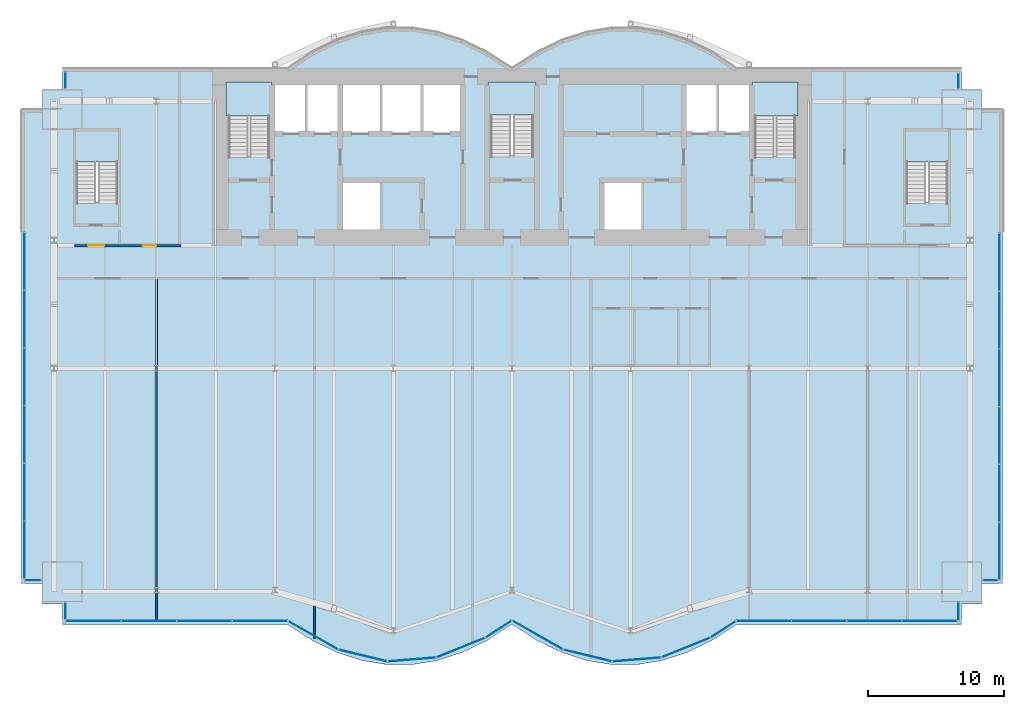
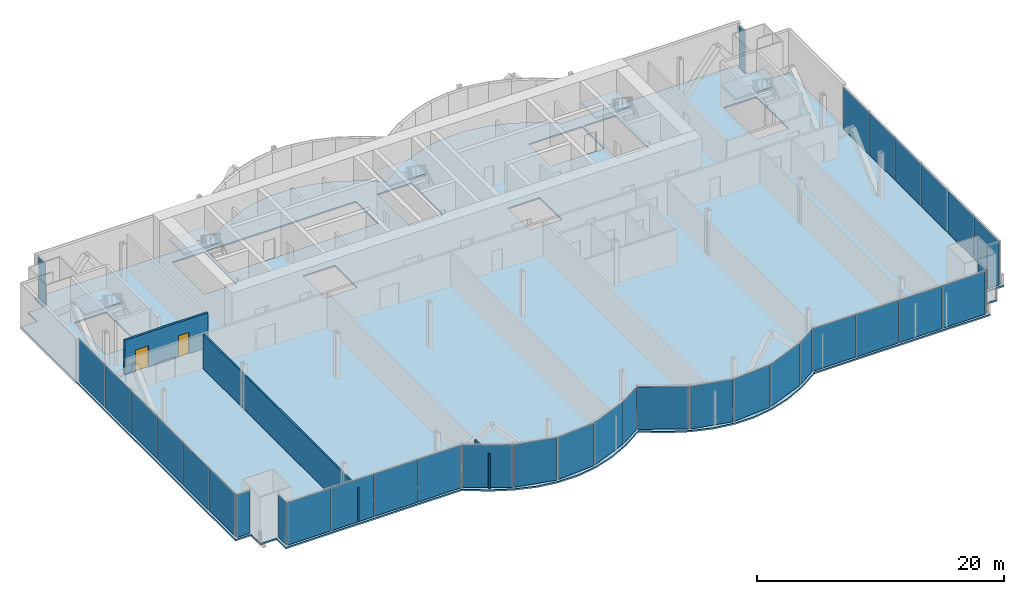
# One storey, part 14 of 21: 36 plates, 6 slabs, 3 walls, 2 doors, 2 openings, 17 elements without a shape of their own.
"""IFC4 building model written with IfcOpenShell, lengths in metres."""

from ifc_helpers import new_model, si_unit, direction, frame, frame_2d, origin, origin_2d, place, context, subcontext, project, spatial, polyline, rectangle, outline, extrude, material, layer, layer_set, type_object, element, fill, aggregate, save


model = new_model("IFC4")

# Units and contexts
model_context = context("Model", 3, precision=1e-05, world=origin(), true_north=direction((0.0, 1.0)))
body_context = subcontext(model_context, "Body", "Model", "MODEL_VIEW")
ifc_project = project(units=[si_unit("LENGTHUNIT", "METRE"), si_unit("AREAUNIT", "SQUARE_METRE"), si_unit("VOLUMEUNIT", "CUBIC_METRE"), si_unit("PLANEANGLEUNIT", "RADIAN"), si_unit("MASSUNIT", "GRAM", prefix="KILO")], contexts=[model_context])

# Site, building, storey
site_placement = place(None, origin())
site = spatial("IfcSite", under=ifc_project, at=site_placement, CompositionType="ELEMENT")
building_placement = place(site_placement, origin())
building = spatial("IfcBuilding", under=site, at=building_placement, Name="Bicima Exchange Tower", CompositionType="ELEMENT")
storey_placement = place(building_placement, frame((0.0, 0.0, 57.5)))
storey = spatial("IfcBuildingStorey", under=building, at=storey_placement, Name="L11", CompositionType="ELEMENT", Elevation=57.5)

# Slab
ifc_material_1 = material(Name="Concrete C40/50", Category="concrete")
ifc_layer_1 = layer(ifc_material_1, 0.14990234375)
ifc_layer_set_1 = layer_set([ifc_layer_1], Name="Concrete C40/50")
slab_type_1 = type_object("IfcSlabType", Name="Composite floor slab 150", PredefinedType="FLOOR", material=ifc_layer_set_1)
slab_1_placement = place(storey_placement, frame((0.0, 0.0, -0.14990234375)))
element("IfcSlab", 1, at=slab_1_placement, inside=storey, type_object=slab_type_1, Name="Floor slab", PredefinedType="FLOOR", context=body_context, shape_type="SweptSolid", body=[
    extrude(outline(polyline([(-36.0, -37.780029296875), (-36.0, -3.0), (-34.5, -3.0), (-34.5, -1.5), (-33.0, -1.5), (-33.0, 0.0), (-16.5, 0.0), (-14.666748046875, 1.185302734375), (-12.833251953125, 2.07421875), (-11.0, 2.666748046875), (-9.166748046875, 2.962890625), (-7.333251953125, 2.962890625), (-5.5, 2.666748046875), (-3.666748046875, 2.07421875), (-1.833251953125, 1.185302734375), (0.0, 0.0), (1.833251953125, 1.185302734375), (3.666748046875, 2.07421875), (5.5, 2.666748046875), (7.333251953125, 2.962890625), (9.166748046875, 2.962890625), (11.0, 2.666748046875), (12.833251953125, 2.07421875), (14.666748046875, 1.185302734375), (16.5, 0.0), (33.0, 0.0), (33.0, -1.5), (34.5, -1.5), (34.5, -3.0), (36.0, -3.0), (36.0, -37.780029296875), (34.5, -37.780029296875), (34.5, -39.280029296875), (33.0, -39.280029296875), (33.0, -40.780029296875), (16.5, -40.780029296875), (14.666748046875, -41.965087890625), (12.833251953125, -42.85400390625), (11.0, -43.44677734375), (9.166748046875, -43.742919921875), (7.333251953125, -43.742919921875), (5.5, -43.44677734375), (3.666748046875, -42.85400390625), (1.833251953125, -41.965087890625), (0.0, -40.780029296875), (-1.833251953125, -41.965087890625), (-3.666748046875, -42.85400390625), (-5.5, -43.44677734375), (-7.333251953125, -43.742919921875), (-9.166748046875, -43.742919921875), (-11.0, -43.44677734375), (-12.833251953125, -42.85400390625), (-14.666748046875, -41.965087890625), (-16.5, -40.780029296875), (-33.0, -40.780029296875), (-33.0, -39.280029296875), (-34.5, -39.280029296875), (-34.5, -37.780029296875), (-36.0, -37.780029296875)]), holes=[polyline([(-9.60009765625, -11.800048828125), (-9.60009765625, -8.199951171875), (-12.60009765625, -8.199951171875), (-12.60009765625, -11.800048828125), (-9.60009765625, -11.800048828125)]), polyline([(-31.97509765625, -9.824951171875), (-28.925048828125, -9.824951171875), (-28.925048828125, -4.625), (-31.97509765625, -4.625), (-31.97509765625, -9.824951171875)]), polyline([(-20.800048828125, -6.449951171875), (-17.800048828125, -6.449951171875), (-17.800048828125, -1.199951171875), (-20.800048828125, -1.199951171875), (-20.800048828125, -6.449951171875)]), polyline([(-9.60009765625, -1.199951171875), (-12.60009765625, -1.199951171875), (-15.10009765625, -1.199951171875), (-17.60009765625, -1.199951171875), (-17.60009765625, -4.800048828125), (-15.10009765625, -4.800048828125), (-12.60009765625, -4.800048828125), (-9.60009765625, -4.800048828125), (-6.60009765625, -4.800048828125), (-3.60009765625, -4.800048828125), (-3.60009765625, -1.199951171875), (-6.60009765625, -1.199951171875), (-9.60009765625, -1.199951171875)]), polyline([(9.60009765625, -11.800048828125), (9.60009765625, -8.199951171875), (6.60009765625, -8.199951171875), (6.60009765625, -11.800048828125), (9.60009765625, -11.800048828125)]), polyline([(28.925048828125, -9.824951171875), (31.97509765625, -9.824951171875), (31.97509765625, -4.625), (28.925048828125, -4.625), (28.925048828125, -9.824951171875)]), polyline([(17.800048828125, -6.449951171875), (20.800048828125, -6.449951171875), (20.800048828125, -1.199951171875), (17.800048828125, -1.199951171875), (17.800048828125, -6.449951171875)]), polyline([(-1.574951171875, -6.39990234375), (1.574951171875, -6.39990234375), (1.574951171875, -1.199951171875), (-1.574951171875, -1.199951171875), (-1.574951171875, -6.39990234375)]), polyline([(17.60009765625, -4.800048828125), (17.60009765625, -1.199951171875), (15.10009765625, -1.199951171875), (12.60009765625, -1.199951171875), (12.60009765625, -4.800048828125), (15.10009765625, -4.800048828125), (17.60009765625, -4.800048828125)])]), origin(), (0.0, 0.0, 1.0), 0.14990234375),
])

# Curtain wall, plates
ifc_material_2 = material(Name="Anodised bronze aluminium", Category="aluminium")
curtain_wall_type_1 = type_object("IfcCurtainWallType", Name="End face glass wall", PredefinedType="NOTDEFINED", material=ifc_material_2)
curtain_wall_1_placement = place(storey_placement, origin())
curtain_wall_1 = element("IfcCurtainWall", 2, at=curtain_wall_1_placement, inside=storey, type_object=curtain_wall_type_1, Name="End face glass wall L11 run 2", PredefinedType="NOTDEFINED")
ifc_material_3 = material(Name="Bronze tinted glass", Category="glass")
ifc_layer_2 = layer(ifc_material_3, 0.031982421875)
ifc_layer_set_2 = layer_set([ifc_layer_2], Name="Bronze tinted glass")
plate_type_1 = type_object("IfcPlateType", Name="End face glass wall glass panel 32", PredefinedType="CURTAIN_PANEL", material=ifc_layer_set_2)
plate_1_placement = place(storey_placement, frame((-35.77001953125, -14.1474609375, 0.0), z_axis=(0.0, 0.0, 1.0), x_axis=(0.0, -1.0, 0.0)))
plate_1 = element("IfcPlate", 3, at=plate_1_placement, type_object=plate_type_1, Name="End face glass wall panel 1.1", PredefinedType="CURTAIN_PANEL", context=body_context, shape_type="SweptSolid", body=[
    extrude(rectangle(XDim=4.175048828125, YDim=0.031982421875, at=origin_2d()), origin(), (0.0, 0.0, 1.0), 4.2099609375),
])
plate_2_placement = place(storey_placement, frame((-35.77001953125, -26.8525390625, 0.0), z_axis=(0.0, 0.0, 1.0), x_axis=(0.0, -1.0, 0.0)))
plate_2 = element("IfcPlate", 4, at=plate_2_placement, type_object=plate_type_1, Name="End face glass wall panel 4.1", PredefinedType="CURTAIN_PANEL", context=body_context, shape_type="SweptSolid", body=[
    extrude(rectangle(XDim=4.175048828125, YDim=0.031982421875, at=origin_2d()), origin(), (0.0, 0.0, 1.0), 4.2099609375),
])
plate_3_placement = place(storey_placement, frame((-35.77001953125, -31.08740234375, 0.0), z_axis=(0.0, 0.0, 1.0), x_axis=(0.0, -1.0, 0.0)))
plate_3 = element("IfcPlate", 5, at=plate_3_placement, type_object=plate_type_1, Name="End face glass wall panel 5.1", PredefinedType="CURTAIN_PANEL", context=body_context, shape_type="SweptSolid", body=[
    extrude(rectangle(XDim=4.175048828125, YDim=0.031982421875, at=origin_2d()), origin(), (0.0, 0.0, 1.0), 4.2099609375),
])
plate_4_placement = place(storey_placement, frame((-35.77001953125, -35.322509765625, 0.0), z_axis=(0.0, 0.0, 1.0), x_axis=(0.0, -1.0, 0.0)))
plate_4 = element("IfcPlate", 6, at=plate_4_placement, type_object=plate_type_1, Name="End face glass wall panel 6.1", PredefinedType="CURTAIN_PANEL", context=body_context, shape_type="SweptSolid", body=[
    extrude(rectangle(XDim=4.175048828125, YDim=0.031982421875, at=origin_2d()), origin(), (0.0, 0.0, 1.0), 4.2099609375),
])

curtain_wall_2_placement = place(storey_placement, origin())
curtain_wall_2 = element("IfcCurtainWall", 7, at=curtain_wall_2_placement, inside=storey, type_object=curtain_wall_type_1, Name="End face glass wall L11 run 19", PredefinedType="NOTDEFINED")
plate_5_placement = place(storey_placement, frame((35.77001953125, -35.402587890625, 0.0), z_axis=(0.0, 0.0, 1.0), x_axis=(0.0, 1.0, 0.0)))
plate_5 = element("IfcPlate", 8, at=plate_5_placement, type_object=plate_type_1, Name="End face glass wall panel 1.1", PredefinedType="CURTAIN_PANEL", context=body_context, shape_type="SweptSolid", body=[
    extrude(rectangle(XDim=4.175048828125, YDim=0.031982421875, at=origin_2d()), origin(), (0.0, 0.0, 1.0), 4.2099609375),
])
plate_6_placement = place(storey_placement, frame((35.77001953125, -31.16748046875, 0.0), z_axis=(0.0, 0.0, 1.0), x_axis=(0.0, 1.0, 0.0)))
plate_6 = element("IfcPlate", 9, at=plate_6_placement, type_object=plate_type_1, Name="End face glass wall panel 2.1", PredefinedType="CURTAIN_PANEL", context=body_context, shape_type="SweptSolid", body=[
    extrude(rectangle(XDim=4.175048828125, YDim=0.031982421875, at=origin_2d()), origin(), (0.0, 0.0, 1.0), 4.2099609375),
])
plate_7_placement = place(storey_placement, frame((35.77001953125, -26.9326171875, 0.0), z_axis=(0.0, 0.0, 1.0), x_axis=(0.0, 1.0, 0.0)))
plate_7 = element("IfcPlate", 10, at=plate_7_placement, type_object=plate_type_1, Name="End face glass wall panel 3.1", PredefinedType="CURTAIN_PANEL", context=body_context, shape_type="SweptSolid", body=[
    extrude(rectangle(XDim=4.175048828125, YDim=0.031982421875, at=origin_2d()), origin(), (0.0, 0.0, 1.0), 4.2099609375),
])
plate_8_placement = place(storey_placement, frame((35.77001953125, -14.2275390625, 0.0), z_axis=(0.0, 0.0, 1.0), x_axis=(0.0, 1.0, 0.0)))
plate_8 = element("IfcPlate", 11, at=plate_8_placement, type_object=plate_type_1, Name="End face glass wall panel 6.1", PredefinedType="CURTAIN_PANEL", context=body_context, shape_type="SweptSolid", body=[
    extrude(rectangle(XDim=4.175048828125, YDim=0.031982421875, at=origin_2d()), origin(), (0.0, 0.0, 1.0), 4.2099609375),
])

# Plate
ifc_material_4 = material(Name="Bronze anodised aluminium", Category="aluminium")
ifc_layer_3 = layer(ifc_material_4, 0.031982421875)
ifc_layer_set_3 = layer_set([ifc_layer_3], Name="Bronze anodised aluminium")
plate_type_2 = type_object("IfcPlateType", Name="End face glass wall spandrel panel 32", PredefinedType="CURTAIN_PANEL", material=ifc_layer_set_3)
plate_9_placement = place(storey_placement, frame((-35.77001953125, -18.382568359375, 0.0), z_axis=(0.0, 0.0, 1.0), x_axis=(0.0, -1.0, 0.0)))
plate_9 = element("IfcPlate", 12, at=plate_9_placement, type_object=plate_type_2, Name="End face spandrel wall panel 2.1", PredefinedType="CURTAIN_PANEL", context=body_context, shape_type="SweptSolid", body=[
    extrude(rectangle(XDim=4.175048828125, YDim=0.031982421875, at=origin_2d()), origin(), (0.0, 0.0, 1.0), 4.2099609375),
])

plate_10_placement = place(storey_placement, frame((-35.77001953125, -22.617431640625, 0.0), z_axis=(0.0, 0.0, 1.0), x_axis=(0.0, -1.0, 0.0)))
plate_10 = element("IfcPlate", 13, at=plate_10_placement, type_object=plate_type_2, Name="End face spandrel wall panel 3.1", PredefinedType="CURTAIN_PANEL", context=body_context, shape_type="SweptSolid", body=[
    extrude(rectangle(XDim=4.175048828125, YDim=0.031982421875, at=origin_2d()), origin(), (0.0, 0.0, 1.0), 4.2099609375),
])

aggregate(curtain_wall_1, [plate_1, plate_9, plate_10, plate_2, plate_3, plate_4])

plate_11_placement = place(storey_placement, frame((35.77001953125, -22.697509765625, 0.0), z_axis=(0.0, 0.0, 1.0), x_axis=(0.0, 1.0, 0.0)))
plate_11 = element("IfcPlate", 14, at=plate_11_placement, type_object=plate_type_2, Name="End face spandrel wall panel 4.1", PredefinedType="CURTAIN_PANEL", context=body_context, shape_type="SweptSolid", body=[
    extrude(rectangle(XDim=4.175048828125, YDim=0.031982421875, at=origin_2d()), origin(), (0.0, 0.0, 1.0), 4.2099609375),
])

plate_12_placement = place(storey_placement, frame((35.77001953125, -18.46240234375, 0.0), z_axis=(0.0, 0.0, 1.0), x_axis=(0.0, 1.0, 0.0)))
plate_12 = element("IfcPlate", 15, at=plate_12_placement, type_object=plate_type_2, Name="End face spandrel wall panel 5.1", PredefinedType="CURTAIN_PANEL", context=body_context, shape_type="SweptSolid", body=[
    extrude(rectangle(XDim=4.175048828125, YDim=0.031982421875, at=origin_2d()), origin(), (0.0, 0.0, 1.0), 4.2099609375),
])

aggregate(curtain_wall_2, [plate_5, plate_6, plate_7, plate_11, plate_12, plate_8])

# Curtain wall, plate
curtain_wall_type_2 = type_object("IfcCurtainWallType", Name="Front glass wall", PredefinedType="NOTDEFINED", material=ifc_material_2)
curtain_wall_3_placement = place(storey_placement, origin())
curtain_wall_3 = element("IfcCurtainWall", 16, at=curtain_wall_3_placement, inside=storey, type_object=curtain_wall_type_2, Name="Front glass wall L11 run 1", PredefinedType="NOTDEFINED")
ifc_layer_4 = layer(ifc_material_3, 0.031982421875)
ifc_layer_set_4 = layer_set([ifc_layer_4], Name="Bronze tinted glass")
plate_type_3 = type_object("IfcPlateType", Name="Front glass wall glass panel 32", PredefinedType="CURTAIN_PANEL", material=ifc_layer_set_4)
plate_13_placement = place(storey_placement, frame((-32.77001953125, -0.864990234375, 0.0), z_axis=(0.0, 0.0, 1.0), x_axis=(0.0, -1.0, 0.0)))
plate_13 = element("IfcPlate", 17, at=plate_13_placement, type_object=plate_type_3, Name="Front glass wall panel 1.1", PredefinedType="CURTAIN_PANEL", context=body_context, shape_type="SweptSolid", body=[
    extrude(rectangle(XDim=1.14990234375, YDim=0.031982421875, at=origin_2d()), origin(), (0.0, 0.0, 1.0), 4.2099609375),
])
aggregate(curtain_wall_3, [plate_13])

curtain_wall_4_placement = place(storey_placement, origin())
curtain_wall_4 = element("IfcCurtainWall", 18, at=curtain_wall_4_placement, inside=storey, type_object=curtain_wall_type_2, Name="Front glass wall L11 run 3", PredefinedType="NOTDEFINED")
plate_14_placement = place(storey_placement, frame((-35.135009765625, -37.550048828125, 0.0), z_axis=(0.0, 0.0, 1.0), x_axis=(1.0, 0.0, 0.0)))
plate_14 = element("IfcPlate", 19, at=plate_14_placement, type_object=plate_type_3, Name="Front glass wall panel 1.1", PredefinedType="CURTAIN_PANEL", context=body_context, shape_type="SweptSolid", body=[
    extrude(rectangle(XDim=1.14990234375, YDim=0.031982421875, at=origin_2d()), origin(), (0.0, 0.0, 1.0), 4.2099609375),
])
aggregate(curtain_wall_4, [plate_14])

curtain_wall_5_placement = place(storey_placement, origin())
curtain_wall_5 = element("IfcCurtainWall", 20, at=curtain_wall_5_placement, inside=storey, type_object=curtain_wall_type_2, Name="Front glass wall L11 run 4", PredefinedType="NOTDEFINED")
plate_15_placement = place(storey_placement, frame((-32.77001953125, -39.81396484375, 0.0), z_axis=(0.0, 0.0, 1.0), x_axis=(0.0, -1.0, 0.0)))
plate_15 = element("IfcPlate", 21, at=plate_15_placement, type_object=plate_type_3, Name="Front glass wall panel 1.1", PredefinedType="CURTAIN_PANEL", context=body_context, shape_type="SweptSolid", body=[
    extrude(rectangle(XDim=1.19189453125, YDim=0.031982421875, at=origin_2d()), origin(), (0.0, 0.0, 1.0), 4.2099609375),
])
aggregate(curtain_wall_5, [plate_15])

# Curtain wall, plates
curtain_wall_6_placement = place(storey_placement, origin())
curtain_wall_6 = element("IfcCurtainWall", 22, at=curtain_wall_6_placement, inside=storey, type_object=curtain_wall_type_2, Name="Front glass wall L11 run 5", PredefinedType="NOTDEFINED")
plate_16_placement = place(storey_placement, frame((-30.705322265625, -40.550048828125, 0.0), z_axis=(0.0, 0.0, 1.0), x_axis=(1.0, 0.0, 0.0)))
plate_16 = element("IfcPlate", 23, at=plate_16_placement, type_object=plate_type_3, Name="Front glass wall panel 1.1", PredefinedType="CURTAIN_PANEL", context=body_context, shape_type="SweptSolid", body=[
    extrude(rectangle(XDim=4.009521484375, YDim=0.031982421875, at=origin_2d()), origin(), (0.0, 0.0, 1.0), 4.2099609375),
])
plate_17_placement = place(storey_placement, frame((-26.6357421875, -40.550048828125, 0.0), z_axis=(0.0, 0.0, 1.0), x_axis=(1.0, 0.0, 0.0)))
plate_17 = element("IfcPlate", 24, at=plate_17_placement, type_object=plate_type_3, Name="Front glass wall panel 2.1", PredefinedType="CURTAIN_PANEL", context=body_context, shape_type="SweptSolid", body=[
    extrude(rectangle(XDim=4.009521484375, YDim=0.031982421875, at=origin_2d()), origin(), (0.0, 0.0, 1.0), 4.2099609375),
])
plate_18_placement = place(storey_placement, frame((-22.56640625, -40.550048828125, 0.0), z_axis=(0.0, 0.0, 1.0), x_axis=(1.0, 0.0, 0.0)))
plate_18 = element("IfcPlate", 25, at=plate_18_placement, type_object=plate_type_3, Name="Front glass wall panel 3.1", PredefinedType="CURTAIN_PANEL", context=body_context, shape_type="SweptSolid", body=[
    extrude(rectangle(XDim=4.009521484375, YDim=0.031982421875, at=origin_2d()), origin(), (0.0, 0.0, 1.0), 4.2099609375),
])
plate_19_placement = place(storey_placement, frame((-18.496826171875, -40.550048828125, 0.0), z_axis=(0.0, 0.0, 1.0), x_axis=(1.0, 0.0, 0.0)))
plate_19 = element("IfcPlate", 26, at=plate_19_placement, type_object=plate_type_3, Name="Front glass wall panel 4.1", PredefinedType="CURTAIN_PANEL", context=body_context, shape_type="SweptSolid", body=[
    extrude(rectangle(XDim=4.009521484375, YDim=0.031982421875, at=origin_2d()), origin(), (0.0, 0.0, 1.0), 4.2099609375),
])
aggregate(curtain_wall_6, [plate_16, plate_17, plate_18, plate_19])

curtain_wall_7_placement = place(storey_placement, origin())
curtain_wall_7 = element("IfcCurtainWall", 27, at=curtain_wall_7_placement, inside=storey, type_object=curtain_wall_type_2, Name="Front glass wall L11 run 6", PredefinedType="NOTDEFINED")
plate_20_placement = place(storey_placement, frame((-10.94775390625, -43.07666015625, 0.0), z_axis=(0.0, 0.0, 1.0), x_axis=(0.971830343553, -0.235681529503, 0.0)))
plate_20 = element("IfcPlate", 28, at=plate_20_placement, type_object=plate_type_3, Name="Front glass wall panel 1.1", PredefinedType="CURTAIN_PANEL", context=body_context, shape_type="SweptSolid", body=[
    extrude(rectangle(XDim=3.583251953125, YDim=0.031982421875, at=origin_2d()), origin(), (0.0, 0.0, 1.0), 4.2099609375),
])
plate_21_placement = place(storey_placement, frame((-7.35107421875, -43.36767578125, 0.0), z_axis=(0.0, 0.0, 1.0), x_axis=(0.99674744821, 0.080588612633, 0.0)))
plate_21 = element("IfcPlate", 29, at=plate_21_placement, type_object=plate_type_3, Name="Front glass wall panel 1.1", PredefinedType="CURTAIN_PANEL", context=body_context, shape_type="SweptSolid", body=[
    extrude(rectangle(XDim=3.486083984375, YDim=0.031982421875, at=origin_2d()), origin(), (0.0, 0.0, 1.0), 4.2099609375),
])
plate_22_placement = place(storey_placement, frame((-3.750244140625, -42.493408203125, 0.0), z_axis=(0.0, 0.0, 1.0), x_axis=(0.92714396679, 0.374705304, 0.0)))
plate_22 = element("IfcPlate", 30, at=plate_22_placement, type_object=plate_type_3, Name="Front glass wall panel 1.1", PredefinedType="CURTAIN_PANEL", context=body_context, shape_type="SweptSolid", body=[
    extrude(rectangle(XDim=3.771240234375, YDim=0.031982421875, at=origin_2d()), origin(), (0.0, 0.0, 1.0), 4.2099609375),
])
plate_23_placement = place(storey_placement, frame((-0.97314453125, -41.13525390625, 0.0), z_axis=(0.0, 0.0, 1.0), x_axis=(0.839798994301, 0.542897457326, 0.0)))
plate_23 = element("IfcPlate", 31, at=plate_23_placement, type_object=plate_type_3, Name="Front glass wall panel 1.1", PredefinedType="CURTAIN_PANEL", context=body_context, shape_type="SweptSolid", body=[
    extrude(rectangle(XDim=2.197509765625, YDim=0.031982421875, at=origin_2d()), origin(), (0.0, 0.0, 1.0), 4.2099609375),
])

curtain_wall_8_placement = place(storey_placement, origin())
curtain_wall_8 = element("IfcCurtainWall", 32, at=curtain_wall_8_placement, inside=storey, type_object=curtain_wall_type_2, Name="Front glass wall L11 run 11", PredefinedType="NOTDEFINED")
plate_24_placement = place(storey_placement, frame((1.876220703125, -41.5732421875, 0.0), z_axis=(0.0, 0.0, 1.0), x_axis=(0.869274147378, -0.494330311331, 0.0)))
plate_24 = element("IfcPlate", 33, at=plate_24_placement, type_object=plate_type_3, Name="Front glass wall panel 1.1", PredefinedType="CURTAIN_PANEL", context=body_context, shape_type="SweptSolid", body=[
    extrude(rectangle(XDim=4.197021484375, YDim=0.031982421875, at=origin_2d()), origin(), (0.0, 0.0, 1.0), 4.2099609375),
])
plate_25_placement = place(storey_placement, frame((5.55224609375, -43.07666015625, 0.0), z_axis=(0.0, 0.0, 1.0), x_axis=(0.971830343553, -0.235681529503, 0.0)))
plate_25 = element("IfcPlate", 34, at=plate_25_placement, type_object=plate_type_3, Name="Front glass wall panel 1.1", PredefinedType="CURTAIN_PANEL", context=body_context, shape_type="SweptSolid", body=[
    extrude(rectangle(XDim=3.583251953125, YDim=0.031982421875, at=origin_2d()), origin(), (0.0, 0.0, 1.0), 4.2099609375),
])
plate_26_placement = place(storey_placement, frame((9.14892578125, -43.36767578125, 0.0), z_axis=(0.0, 0.0, 1.0), x_axis=(0.99674744821, 0.080588612633, 0.0)))
plate_26 = element("IfcPlate", 35, at=plate_26_placement, type_object=plate_type_3, Name="Front glass wall panel 1.1", PredefinedType="CURTAIN_PANEL", context=body_context, shape_type="SweptSolid", body=[
    extrude(rectangle(XDim=3.486083984375, YDim=0.031982421875, at=origin_2d()), origin(), (0.0, 0.0, 1.0), 4.2099609375),
])
plate_27_placement = place(storey_placement, frame((15.492919921875, -41.1572265625, 0.0), z_axis=(0.0, 0.0, 1.0), x_axis=(0.839791413941, 0.542909183079, 0.0)))
plate_27 = element("IfcPlate", 36, at=plate_27_placement, type_object=plate_type_3, Name="Front glass wall panel 1.1", PredefinedType="CURTAIN_PANEL", context=body_context, shape_type="SweptSolid", body=[
    extrude(rectangle(XDim=2.11669921875, YDim=0.031982421875, at=origin_2d()), origin(), (0.0, 0.0, 1.0), 4.2099609375),
])

curtain_wall_9_placement = place(storey_placement, origin())
curtain_wall_9 = element("IfcCurtainWall", 37, at=curtain_wall_9_placement, inside=storey, type_object=curtain_wall_type_2, Name="Front glass wall L11 run 16", PredefinedType="NOTDEFINED")
plate_28_placement = place(storey_placement, frame((18.48681640625, -40.550048828125, 0.0), z_axis=(0.0, 0.0, 1.0), x_axis=(1.0, 0.0, 0.0)))
plate_28 = element("IfcPlate", 38, at=plate_28_placement, type_object=plate_type_3, Name="Front glass wall panel 1.1", PredefinedType="CURTAIN_PANEL", context=body_context, shape_type="SweptSolid", body=[
    extrude(rectangle(XDim=3.989501953125, YDim=0.031982421875, at=origin_2d()), origin(), (0.0, 0.0, 1.0), 4.2099609375),
])
plate_29_placement = place(storey_placement, frame((22.536376953125, -40.550048828125, 0.0), z_axis=(0.0, 0.0, 1.0), x_axis=(1.0, 0.0, 0.0)))
plate_29 = element("IfcPlate", 39, at=plate_29_placement, type_object=plate_type_3, Name="Front glass wall panel 2.1", PredefinedType="CURTAIN_PANEL", context=body_context, shape_type="SweptSolid", body=[
    extrude(rectangle(XDim=3.989501953125, YDim=0.031982421875, at=origin_2d()), origin(), (0.0, 0.0, 1.0), 4.2099609375),
])
plate_30_placement = place(storey_placement, frame((26.585693359375, -40.550048828125, 0.0), z_axis=(0.0, 0.0, 1.0), x_axis=(1.0, 0.0, 0.0)))
plate_30 = element("IfcPlate", 40, at=plate_30_placement, type_object=plate_type_3, Name="Front glass wall panel 3.1", PredefinedType="CURTAIN_PANEL", context=body_context, shape_type="SweptSolid", body=[
    extrude(rectangle(XDim=3.989501953125, YDim=0.031982421875, at=origin_2d()), origin(), (0.0, 0.0, 1.0), 4.2099609375),
])
plate_31_placement = place(storey_placement, frame((30.63525390625, -40.550048828125, 0.0), z_axis=(0.0, 0.0, 1.0), x_axis=(1.0, 0.0, 0.0)))
plate_31 = element("IfcPlate", 41, at=plate_31_placement, type_object=plate_type_3, Name="Front glass wall panel 4.1", PredefinedType="CURTAIN_PANEL", context=body_context, shape_type="SweptSolid", body=[
    extrude(rectangle(XDim=3.989501953125, YDim=0.031982421875, at=origin_2d()), origin(), (0.0, 0.0, 1.0), 4.2099609375),
])
aggregate(curtain_wall_9, [plate_28, plate_29, plate_30, plate_31])

# Curtain wall, plate
curtain_wall_10_placement = place(storey_placement, origin())
curtain_wall_10 = element("IfcCurtainWall", 42, at=curtain_wall_10_placement, inside=storey, type_object=curtain_wall_type_2, Name="Front glass wall L11 run 17", PredefinedType="NOTDEFINED")
plate_32_placement = place(storey_placement, frame((32.77001953125, -39.85400390625, 0.0), z_axis=(0.0, 0.0, 1.0), x_axis=(0.0, 1.0, 0.0)))
plate_32 = element("IfcPlate", 43, at=plate_32_placement, type_object=plate_type_3, Name="Front glass wall panel 1.1", PredefinedType="CURTAIN_PANEL", context=body_context, shape_type="SweptSolid", body=[
    extrude(rectangle(XDim=1.27197265625, YDim=0.031982421875, at=origin_2d()), origin(), (0.0, 0.0, 1.0), 4.2099609375),
])
aggregate(curtain_wall_10, [plate_32])

curtain_wall_11_placement = place(storey_placement, origin())
curtain_wall_11 = element("IfcCurtainWall", 44, at=curtain_wall_11_placement, inside=storey, type_object=curtain_wall_type_2, Name="Front glass wall L11 run 18", PredefinedType="NOTDEFINED")
plate_33_placement = place(storey_placement, frame((35.094970703125, -37.550048828125, 0.0), z_axis=(0.0, 0.0, 1.0), x_axis=(1.0, 0.0, 0.0)))
plate_33 = element("IfcPlate", 45, at=plate_33_placement, type_object=plate_type_3, Name="Front glass wall panel 1.1", PredefinedType="CURTAIN_PANEL", context=body_context, shape_type="SweptSolid", body=[
    extrude(rectangle(XDim=1.070068359375, YDim=0.031982421875, at=origin_2d()), origin(), (0.0, 0.0, 1.0), 4.2099609375),
])
aggregate(curtain_wall_11, [plate_33])

curtain_wall_12_placement = place(storey_placement, origin())
curtain_wall_12 = element("IfcCurtainWall", 46, at=curtain_wall_12_placement, inside=storey, type_object=curtain_wall_type_2, Name="Front glass wall L11 run 20", PredefinedType="NOTDEFINED")
plate_34_placement = place(storey_placement, frame((32.77001953125, -0.905029296875, 0.0), z_axis=(0.0, 0.0, 1.0), x_axis=(0.0, 1.0, 0.0)))
plate_34 = element("IfcPlate", 47, at=plate_34_placement, type_object=plate_type_3, Name="Front glass wall panel 1.1", PredefinedType="CURTAIN_PANEL", context=body_context, shape_type="SweptSolid", body=[
    extrude(rectangle(XDim=1.070068359375, YDim=0.031982421875, at=origin_2d()), origin(), (0.0, 0.0, 1.0), 4.2099609375),
])
aggregate(curtain_wall_12, [plate_34])

# Plate
ifc_layer_5 = layer(ifc_material_4, 0.031982421875)
ifc_layer_set_5 = layer_set([ifc_layer_5], Name="Bronze anodised aluminium")
plate_type_4 = type_object("IfcPlateType", Name="Front glass wall spandrel panel 32", PredefinedType="CURTAIN_PANEL", material=ifc_layer_set_5)
plate_35_placement = place(storey_placement, frame((-14.589599609375, -41.59521484375, 0.0), z_axis=(0.0, 0.0, 1.0), x_axis=(0.869805110681, -0.493395449343, 0.0)))
plate_35 = element("IfcPlate", 48, at=plate_35_placement, type_object=plate_type_4, Name="Front spandrel wall panel 1.1", PredefinedType="CURTAIN_PANEL", context=body_context, shape_type="SweptSolid", body=[
    extrude(rectangle(XDim=4.1162109375, YDim=0.031982421875, at=origin_2d()), origin(), (0.0, 0.0, 1.0), 4.2099609375),
])

aggregate(curtain_wall_7, [plate_35, plate_20, plate_21, plate_22, plate_23])

plate_36_placement = place(storey_placement, frame((12.749755859375, -42.493408203125, 0.0), z_axis=(0.0, 0.0, 1.0), x_axis=(0.92714396679, 0.374705304, 0.0)))
plate_36 = element("IfcPlate", 49, at=plate_36_placement, type_object=plate_type_4, Name="Front spandrel wall panel 1.1", PredefinedType="CURTAIN_PANEL", context=body_context, shape_type="SweptSolid", body=[
    extrude(rectangle(XDim=3.771240234375, YDim=0.031982421875, at=origin_2d()), origin(), (0.0, 0.0, 1.0), 4.2099609375),
])

aggregate(curtain_wall_8, [plate_24, plate_25, plate_26, plate_36, plate_27])

# Stair, slab
ifc_material_5 = material(Name="Concrete C50/60", Category="concrete")
stair_type_1 = type_object("IfcStairType", Name="Exit stair", PredefinedType="HALF_TURN_STAIR", material=ifc_material_5)
stair_1_placement = place(storey_placement, origin())
stair_1 = element("IfcStair", 50, at=stair_1_placement, inside=storey, type_object=stair_type_1, Name="L11 West exit stair", PredefinedType="HALF_TURN_STAIR")
ifc_layer_6 = layer(ifc_material_5, 0.199951171875)
ifc_layer_set_6 = layer_set([ifc_layer_6], Name="Concrete C50/60")
slab_type_2 = type_object("IfcSlabType", Name="Stair landing slab", PredefinedType="LANDING", material=ifc_layer_set_6)
slab_2_placement = place(storey_placement, frame((0.0, 0.0, 2.050048828125)))
slab_2 = element("IfcSlab", 51, at=slab_2_placement, type_object=slab_type_2, Name="ST-W landing 1", PredefinedType="LANDING", context=body_context, shape_type="SweptSolid", body=[
    extrude(outline(polyline([(-17.60009765625, -3.469970703125), (-17.60009765625, -1.0), (-21.0, -1.0), (-21.0, -3.469970703125), (-17.60009765625, -3.469970703125)])), origin(), (0.0, 0.0, 1.0), 0.199951171875),
])
aggregate(stair_1, [slab_2])

stair_type_2 = type_object("IfcStairType", Name="Exit stair 1500", PredefinedType="HALF_TURN_STAIR", material=ifc_material_5)
stair_2_placement = place(storey_placement, origin())
stair_2 = element("IfcStair", 52, at=stair_2_placement, inside=storey, type_object=stair_type_2, Name="L11 Central exit stair", PredefinedType="HALF_TURN_STAIR")
slab_3_placement = place(storey_placement, frame((0.0, 0.0, 2.050048828125)))
slab_3 = element("IfcSlab", 53, at=slab_3_placement, type_object=slab_type_2, Name="ST-C landing 1", PredefinedType="LANDING", context=body_context, shape_type="SweptSolid", body=[
    extrude(outline(polyline([(1.77490234375, -3.419921875), (1.77490234375, -1.0), (-1.77490234375, -1.0), (-1.77490234375, -3.419921875), (1.77490234375, -3.419921875)])), origin(), (0.0, 0.0, 1.0), 0.199951171875),
])
aggregate(stair_2, [slab_3])

stair_3_placement = place(storey_placement, origin())
stair_3 = element("IfcStair", 54, at=stair_3_placement, inside=storey, type_object=stair_type_1, Name="L11 East exit stair", PredefinedType="HALF_TURN_STAIR")
slab_4_placement = place(storey_placement, frame((0.0, 0.0, 2.050048828125)))
slab_4 = element("IfcSlab", 55, at=slab_4_placement, type_object=slab_type_2, Name="ST-E landing 1", PredefinedType="LANDING", context=body_context, shape_type="SweptSolid", body=[
    extrude(outline(polyline([(21.0, -3.469970703125), (21.0, -1.0), (17.60009765625, -1.0), (17.60009765625, -3.469970703125), (21.0, -3.469970703125)])), origin(), (0.0, 0.0, 1.0), 0.199951171875),
])
aggregate(stair_3, [slab_4])

stair_4_placement = place(storey_placement, origin())
stair_4 = element("IfcStair", 56, at=stair_4_placement, inside=storey, type_object=stair_type_1, Name="L11 West end exit stair", PredefinedType="HALF_TURN_STAIR")
slab_5_placement = place(storey_placement, frame((0.0, 0.0, 2.050048828125)))
slab_5 = element("IfcSlab", 57, at=slab_5_placement, type_object=slab_type_2, Name="ST-WW landing 1", PredefinedType="LANDING", context=body_context, shape_type="SweptSolid", body=[
    extrude(outline(polyline([(-28.72509765625, -6.844970703125), (-28.72509765625, -4.425048828125), (-32.175048828125, -4.425048828125), (-32.175048828125, -6.844970703125), (-28.72509765625, -6.844970703125)])), origin(), (0.0, 0.0, 1.0), 0.199951171875),
])
aggregate(stair_4, [slab_5])

stair_5_placement = place(storey_placement, origin())
stair_5 = element("IfcStair", 58, at=stair_5_placement, inside=storey, type_object=stair_type_1, Name="L11 East end exit stair", PredefinedType="HALF_TURN_STAIR")
slab_6_placement = place(storey_placement, frame((0.0, 0.0, 2.050048828125)))
slab_6 = element("IfcSlab", 59, at=slab_6_placement, type_object=slab_type_2, Name="ST-EE landing 1", PredefinedType="LANDING", context=body_context, shape_type="SweptSolid", body=[
    extrude(outline(polyline([(32.175048828125, -6.844970703125), (32.175048828125, -4.425048828125), (28.72509765625, -4.425048828125), (28.72509765625, -6.844970703125), (32.175048828125, -6.844970703125)])), origin(), (0.0, 0.0, 1.0), 0.199951171875),
])
aggregate(stair_5, [slab_6])

# Wall, openings, doors
ifc_material_6 = material(Name="Gypsum board partition")
ifc_layer_7 = layer(ifc_material_6, 0.199951171875)
ifc_layer_set_7 = layer_set([ifc_layer_7], Name="Gypsum board partition")
wall_type_1 = type_object("IfcWallType", Name="Fire-rated gypsum partition 200 EI60", PredefinedType="PARTITIONING", material=ifc_layer_set_7)
wall_1_placement = place(storey_placement, frame((-32.10009765625, -13.0, 0.0), z_axis=(0.0, 0.0, 1.0), x_axis=(1.0, 0.0, 0.0)))
wall_1 = element("IfcWall", 60, at=wall_1_placement, inside=storey, type_object=wall_type_1, Name="partition wall 4", PredefinedType="PARTITIONING", context=body_context, shape_type="SweptSolid", body=[
    extrude(rectangle(XDim=7.800048828125, YDim=0.199951171875, at=frame_2d((3.89990234375, 0.0))), origin(), (0.0, 0.0, 1.0), 3.418212890625),
])
opening_1_placement = place(wall_1_placement, frame((1.0, 0.0, 0.0)))
opening_1 = element("IfcOpeningElement", 61, at=opening_1_placement, cuts=wall_1, Name="Opening L11-001", PredefinedType="OPENING", context=body_context, shape_type="SweptSolid", body=[
    extrude(rectangle(XDim=1.199951171875, YDim=2.10009765625, at=frame_2d((0.60009765625, 1.050048828125))), frame((0.0, 0.11181640625, 0.0), z_axis=(0.0, -1.0, 0.0), x_axis=(1.0, 0.0, 0.0)), (0.0, 0.0, 1.0), 0.223876953125),
])
opening_2_placement = place(wall_1_placement, frame((5.0, 0.0, 0.0)))
opening_2 = element("IfcOpeningElement", 62, at=opening_2_placement, cuts=wall_1, Name="Opening L11-005", PredefinedType="OPENING", context=body_context, shape_type="SweptSolid", body=[
    extrude(rectangle(XDim=1.0, YDim=2.10009765625, at=frame_2d((0.5, 1.050048828125))), frame((0.0, 0.11181640625, 0.0), z_axis=(0.0, -1.0, 0.0), x_axis=(1.0, 0.0, 0.0)), (0.0, 0.0, 1.0), 0.223876953125),
])
ifc_material_7 = material(Name="Steel fire door leaf", Category="steel")
door_type_1 = type_object("IfcDoorType", Name="Door 1000 swing FD30S", OperationType="SINGLE_SWING_LEFT", PredefinedType="DOOR", material=ifc_material_7)
door_1_placement = place(opening_2_placement, origin())
door_1 = element("IfcDoor", 63, at=door_1_placement, inside=storey, type_object=door_type_1, Name="Door", OperationType="SINGLE_SWING_LEFT", OverallHeight=2.10009765625, OverallWidth=1.0, PredefinedType="DOOR", context=body_context, shape_type="SweptSolid", body=[
    extrude(rectangle(XDim=1.0, YDim=2.10009765625, at=frame_2d((0.5, 1.050048828125))), frame((0.0, 0.02490234375, 0.0), z_axis=(0.0, -1.0, 0.0), x_axis=(1.0, 0.0, 0.0)), (0.0, 0.0, 1.0), 0.050048828125),
])
fill(opening_2, door_1)
door_type_2 = type_object("IfcDoorType", Name="Door 1200 swing FD30S", OperationType="SINGLE_SWING_LEFT", PredefinedType="DOOR", material=ifc_material_7)
door_2_placement = place(opening_1_placement, origin())
door_2 = element("IfcDoor", 64, at=door_2_placement, inside=storey, type_object=door_type_2, Name="Door", OperationType="SINGLE_SWING_LEFT", OverallHeight=2.10009765625, OverallWidth=1.199951171875, PredefinedType="DOOR", context=body_context, shape_type="SweptSolid", body=[
    extrude(rectangle(XDim=1.199951171875, YDim=2.10009765625, at=frame_2d((0.60009765625, 1.050048828125))), frame((0.0, 0.02490234375, 0.0), z_axis=(0.0, -1.0, 0.0), x_axis=(1.0, 0.0, 0.0)), (0.0, 0.0, 1.0), 0.050048828125),
])
fill(opening_1, door_2)

# Walls
ifc_layer_8 = layer(ifc_material_6, 0.14990234375)
ifc_layer_set_8 = layer_set([ifc_layer_8], Name="Gypsum board partition")
wall_type_2 = type_object("IfcWallType", Name="Gypsum partition 150", PredefinedType="PARTITIONING", material=ifc_layer_set_8)
wall_2_placement = place(storey_placement, frame((-26.10009765625, -40.570068359375, 0.0), z_axis=(0.0, 0.0, 1.0), x_axis=(0.0, 1.0, 0.0)))
element("IfcWall", 65, at=wall_2_placement, inside=storey, type_object=wall_type_2, Name="partition wall 14", PredefinedType="PARTITIONING", context=body_context, shape_type="SweptSolid", body=[
    extrude(rectangle(XDim=25.070068359375, YDim=0.14990234375, at=frame_2d((12.53515625, 0.0))), origin(), (0.0, 0.0, 1.0), 3.418212890625),
])
wall_3_placement = place(storey_placement, frame((-14.5, -41.81005859375, 0.0), z_axis=(0.0, 0.0, 1.0), x_axis=(0.0, 1.0, 0.0)))
element("IfcWall", 66, at=wall_3_placement, inside=storey, type_object=wall_type_2, Name="partition wall 16", PredefinedType="PARTITIONING", context=body_context, shape_type="SweptSolid", body=[
    extrude(rectangle(XDim=2.3583984375, YDim=0.14990234375, at=frame_2d((1.17919921875, 0.0))), origin(), (0.0, 0.0, 1.0), 3.418212890625),
])

save(model, "model.ifc")
